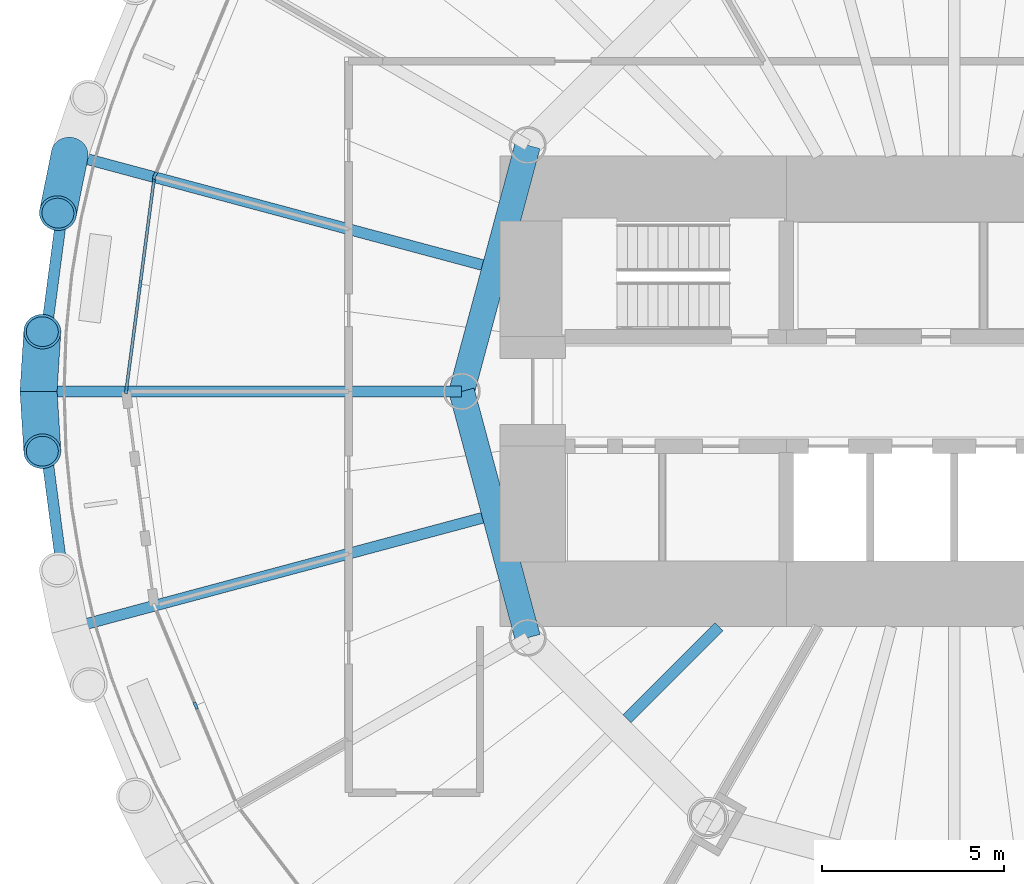
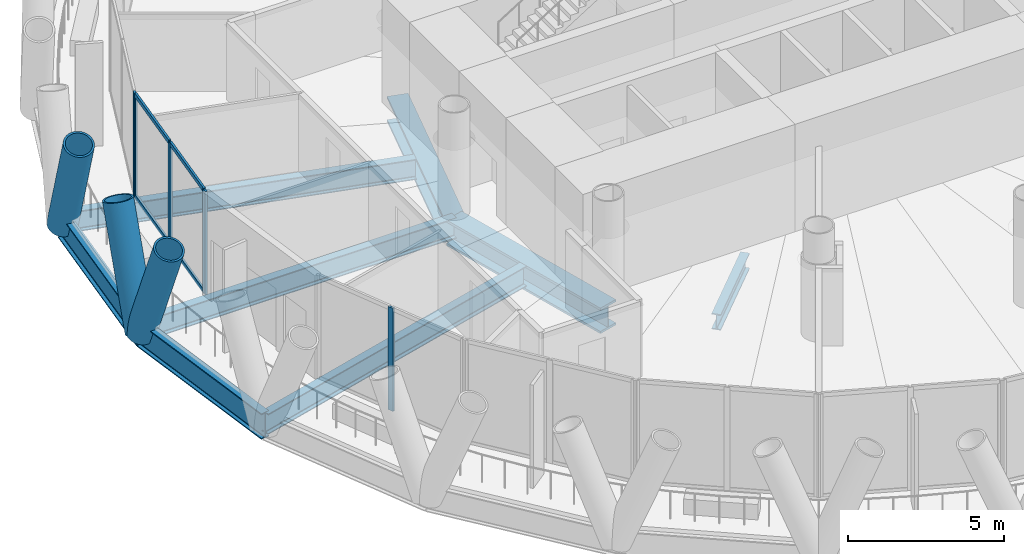
# One storey, part 3 of 14: 12 members, 8 beams, 3 elements without a shape of their own.
"""IFC4 building model written with IfcOpenShell, lengths in metres."""

from ifc_helpers import new_model, si_unit, direction, frame, origin, origin_2d, place, context, subcontext, project, spatial, rectangle, hollow_circle, i_section, extrude, material, material_profile, profile_set, type_object, element, aggregate, save


model = new_model("IFC4")

# Units and contexts
model_context = context("Model", 3, precision=1e-05, world=origin(), true_north=direction((0.0, 1.0)))
body_context = subcontext(model_context, "Body", "Model", "MODEL_VIEW")
ifc_project = project(units=[si_unit("LENGTHUNIT", "METRE"), si_unit("AREAUNIT", "SQUARE_METRE"), si_unit("VOLUMEUNIT", "CUBIC_METRE"), si_unit("PLANEANGLEUNIT", "RADIAN"), si_unit("MASSUNIT", "GRAM", prefix="KILO")], contexts=[model_context])

# Site, building, storey
site_placement = place(None, origin())
site = spatial("IfcSite", under=ifc_project, at=site_placement, CompositionType="ELEMENT")
building_placement = place(site_placement, origin())
building = spatial("IfcBuilding", under=site, at=building_placement, Name="Qaws Media Tower", CompositionType="ELEMENT")
storey_placement = place(building_placement, frame((0.0, 0.0, 126.800048828125)))
storey = spatial("IfcBuildingStorey", under=building, at=storey_placement, Name="L28", CompositionType="ELEMENT", Elevation=126.800048828125)

# Curtain wall, member
ifc_material_1 = material(Name="Aluminium and clear glass", Category="aluminium")
curtain_wall_type = type_object("IfcCurtainWallType", Name="Unitised curtain wall CW-B", PredefinedType="NOTDEFINED", material=ifc_material_1)
curtain_wall_1_placement = place(storey_placement, origin())
curtain_wall_1 = element("IfcCurtainWall", 1, at=curtain_wall_1_placement, inside=storey, type_object=curtain_wall_type, Name="CWB curtain wall L28-11", PredefinedType="NOTDEFINED")
ifc_material_2 = material(Name="Aluminium mullion", Category="aluminium")
ifc_material_profile_1 = material_profile(ifc_material_2, rectangle(XDim=0.080078125, YDim=0.199951171875, at=origin_2d()), Name="80x200")
ifc_profile_set_1 = profile_set([ifc_material_profile_1], Name="Aluminium mullion")
member_type_1 = type_object("IfcMemberType", Name="Curtain wall mullion 80x200", PredefinedType="MULLION", material=ifc_profile_set_1)
member_1_placement = place(storey_placement, frame((38.0888671875, 55.912109375, 0.0), z_axis=(0.0, 0.0, 1.0), x_axis=(0.923879575765, -0.382683327941, 0.0)))
member_1 = element("IfcMember", 2, at=member_1_placement, type_object=member_type_1, Name="CWB mullion 3", PredefinedType="MULLION", context=body_context, shape_type="SweptSolid", body=[
    extrude(rectangle(XDim=0.080078125, YDim=0.199951171875, at=origin_2d()), origin(), (0.0, 0.0, 1.0), 4.0400390625),
])
aggregate(curtain_wall_1, [member_1])

# Curtain wall, members
curtain_wall_2_placement = place(storey_placement, origin())
curtain_wall_2 = element("IfcCurtainWall", 3, at=curtain_wall_2_placement, inside=storey, type_object=curtain_wall_type, Name="CWB curtain wall L28-12", PredefinedType="NOTDEFINED")
member_2_placement = place(storey_placement, frame((38.068359375, 55.83544921875, 0.0), z_axis=(0.0, 0.0, 1.0), x_axis=(0.991444854836, -0.130526241882, 0.0)))
member_2 = element("IfcMember", 4, at=member_2_placement, type_object=member_type_1, Name="CWB mullion 1", PredefinedType="MULLION", context=body_context, shape_type="SweptSolid", body=[
    extrude(rectangle(XDim=0.080078125, YDim=0.199951171875, at=origin_2d()), origin(), (0.0, 0.0, 1.0), 4.0400390625),
])
member_3_placement = place(storey_placement, frame((37.686767578125, 52.9375, 0.0), z_axis=(0.0, 0.0, 1.0), x_axis=(0.991444854836, -0.130526241882, 0.0)))
member_3 = element("IfcMember", 5, at=member_3_placement, type_object=member_type_1, Name="CWB mullion 2", PredefinedType="MULLION", context=body_context, shape_type="SweptSolid", body=[
    extrude(rectangle(XDim=0.080078125, YDim=0.199951171875, at=origin_2d()), origin(), (0.0, 0.0, 1.0), 4.0400390625),
])
member_4_placement = place(storey_placement, frame((37.30517578125, 50.03955078125, 0.0), z_axis=(0.0, 0.0, 1.0), x_axis=(0.991444854836, -0.130526241882, 0.0)))
member_4 = element("IfcMember", 6, at=member_4_placement, type_object=member_type_1, Name="CWB mullion 3", PredefinedType="MULLION", context=body_context, shape_type="SweptSolid", body=[
    extrude(rectangle(XDim=0.080078125, YDim=0.199951171875, at=origin_2d()), origin(), (0.0, 0.0, 1.0), 4.0400390625),
])

# Curtain wall, member
curtain_wall_3_placement = place(storey_placement, origin())
curtain_wall_3 = element("IfcCurtainWall", 7, at=curtain_wall_3_placement, inside=storey, type_object=curtain_wall_type, Name="CWB curtain wall L28-14", PredefinedType="NOTDEFINED")
member_5_placement = place(storey_placement, frame((39.207275390625, 41.387451171875, 0.0), z_axis=(0.0, 0.0, 1.0), x_axis=(0.923879575765, 0.382683327941, 0.0)))
member_5 = element("IfcMember", 8, at=member_5_placement, type_object=member_type_1, Name="CWB mullion 2", PredefinedType="MULLION", context=body_context, shape_type="SweptSolid", body=[
    extrude(rectangle(XDim=0.080078125, YDim=0.199951171875, at=origin_2d()), origin(), (0.0, 0.0, 1.0), 4.0400390625),
])
aggregate(curtain_wall_3, [member_5])

# Member
ifc_material_3 = material(Name="Aluminium transom", Category="aluminium")
ifc_material_profile_2 = material_profile(ifc_material_3, rectangle(XDim=0.080078125, YDim=0.159912109375, at=origin_2d()), Name="80x160")
ifc_profile_set_2 = profile_set([ifc_material_profile_2], Name="Aluminium transom")
member_type_2 = type_object("IfcMemberType", Name="Curtain wall transom 80x160", PredefinedType="USERDEFINED", material=ifc_profile_set_2)
member_6_placement = place(storey_placement, frame((38.06298828125, 55.7958984375, 0.0400390625), z_axis=(-0.130532262837, -0.991444062143, 0.0), x_axis=(0.991444062143, -0.130532262837, 0.0)))
member_6 = element("IfcMember", 9, at=member_6_placement, type_object=member_type_2, Name="CWB transom 1.1", ObjectType="TRANSOM", PredefinedType="USERDEFINED", context=body_context, shape_type="SweptSolid", body=[
    extrude(rectangle(XDim=0.080078125, YDim=0.159912109375, at=origin_2d()), origin(), (0.0, 0.0, 1.0), 2.843017578125),
])

member_7_placement = place(storey_placement, frame((38.06298828125, 55.7958984375, 4.0), z_axis=(-0.130532262837, -0.991444062143, 0.0), x_axis=(0.991444062143, -0.130532262837, 0.0)))
member_7 = element("IfcMember", 10, at=member_7_placement, type_object=member_type_2, Name="CWB transom 1.2", ObjectType="TRANSOM", PredefinedType="USERDEFINED", context=body_context, shape_type="SweptSolid", body=[
    extrude(rectangle(XDim=0.080078125, YDim=0.159912109375, at=origin_2d()), origin(), (0.0, 0.0, 1.0), 2.843017578125),
])

member_8_placement = place(storey_placement, frame((37.681640625, 52.89794921875, 0.0400390625), z_axis=(-0.130532262837, -0.991444062143, 0.0), x_axis=(0.991444062143, -0.130532262837, 0.0)))
member_8 = element("IfcMember", 11, at=member_8_placement, type_object=member_type_2, Name="CWB transom 2.1", ObjectType="TRANSOM", PredefinedType="USERDEFINED", context=body_context, shape_type="SweptSolid", body=[
    extrude(rectangle(XDim=0.080078125, YDim=0.159912109375, at=origin_2d()), origin(), (0.0, 0.0, 1.0), 2.843017578125),
])

member_9_placement = place(storey_placement, frame((37.681640625, 52.89794921875, 4.0), z_axis=(-0.130532262837, -0.991444062143, 0.0), x_axis=(0.991444062143, -0.130532262837, 0.0)))
member_9 = element("IfcMember", 12, at=member_9_placement, type_object=member_type_2, Name="CWB transom 2.2", ObjectType="TRANSOM", PredefinedType="USERDEFINED", context=body_context, shape_type="SweptSolid", body=[
    extrude(rectangle(XDim=0.080078125, YDim=0.159912109375, at=origin_2d()), origin(), (0.0, 0.0, 1.0), 2.843017578125),
])

aggregate(curtain_wall_2, [member_2, member_3, member_4, member_6, member_7, member_8, member_9])

# Members
ifc_material_4 = material(Name="Steel S460", Category="steel")
ifc_material_profile_3 = material_profile(ifc_material_4, hollow_circle(Radius=0.508056640625, WallThickness=0.070068359375, at=origin_2d()), Name="CHS 1016x70")
ifc_profile_set_3 = profile_set([ifc_material_profile_3], Name="Steel S460")
member_type_3 = type_object("IfcMemberType", Name="Diagrid member CHS 1016x70", PredefinedType="USERDEFINED", material=ifc_profile_set_3)
member_10_placement = place(storey_placement, frame((35.75537109375, 56.496337890625, -0.6640625), z_axis=(-0.071844373142, -0.356893826491, 0.931378109395), x_axis=(0.980333951652, -0.197345745425, 0.0)))
element("IfcMember", 13, at=member_10_placement, inside=storey, type_object=member_type_3, Name="DG3 diagrid L28 A12", ObjectType="DIAGRID", PredefinedType="USERDEFINED", context=body_context, shape_type="SweptSolid", body=[
    extrude(hollow_circle(Radius=0.508056640625, WallThickness=0.070068359375, at=origin_2d()), origin(), (0.0, 0.0, 1.0), 4.50927734375),
])
for number, where, z_axis, x_axis, name in (
    (14, (34.89990234375, 50.0, -0.6640625), (0.023009597128, -0.363335073708, 0.931374351512), (0.99800073914, 0.063202252143, 0.0), "DG3 diagrid L28 A13"),
    (15, (34.89990234375, 50.0, -0.6640625), (0.023009597128, 0.363335073708, 0.931374351512), (-0.99800073914, 0.063202252143, 0.0), "DG3 diagrid L28 B13"),
):
    element("IfcMember", number, at=place(storey_placement, frame(where, z_axis=z_axis, x_axis=x_axis)), inside=storey, type_object=member_type_3, Name=name, ObjectType="DIAGRID", PredefinedType="USERDEFINED", context=body_context, shape_type="SweptSolid", body=[
        extrude(hollow_circle(Radius=0.508056640625, WallThickness=0.070068359375, at=origin_2d()), origin(), (0.0, 0.0, 1.0), 4.509521484375),
    ])

# Beams
ifc_material_5 = material(Name="Steel S460", Category="steel")
ifc_material_profile_4 = material_profile(ifc_material_5, i_section(OverallWidth=0.302001953125, OverallDepth=1.008056640625, WebThickness=0.02099609375, FlangeThickness=0.0400390625, FilletRadius=0.030029296875, at=origin_2d()), Name="HE 1000 M")
ifc_profile_set_4 = profile_set([ifc_material_profile_4], Name="Steel S460")
beam_type_1 = type_object("IfcBeamType", Name="Edge ring beam HE 1000 M", PredefinedType="BEAM", material=ifc_profile_set_4)
for number, where, z_axis, x_axis, name in (
    (16, (35.75537109375, 56.496337890625, -0.6640625), (-0.130557641571, -0.991440720481, 0.0), (0.991440720481, -0.130557641571, 0.0), "RB3 edge ring beam L28-12"),
    (17, (34.89990234375, 50.0, -0.6640625), (0.130557641571, -0.991440720481, 0.0), (0.991440720481, 0.130557641571, 0.0), "RB3 edge ring beam L28-13"),
):
    element("IfcBeam", number, at=place(storey_placement, frame(where, z_axis=z_axis, x_axis=x_axis)), inside=storey, type_object=beam_type_1, Name=name, PredefinedType="BEAM", context=body_context, shape_type="SweptSolid", body=[
        extrude(i_section(OverallWidth=0.302001953125, OverallDepth=1.008056640625, WebThickness=0.02099609375, FlangeThickness=0.0400390625, FilletRadius=0.030029296875, at=origin_2d()), origin(), (0.0, 0.0, 1.0), 6.552490234375),
    ])
ifc_material_6 = material(Name="Steel S460", Category="steel")
ifc_material_profile_5 = material_profile(ifc_material_6, i_section(OverallWidth=0.699951171875, OverallDepth=1.0, WebThickness=0.034912109375, FlangeThickness=0.090087890625, at=origin_2d()), Name="PG 1000x700")
ifc_profile_set_5 = profile_set([ifc_material_profile_5], Name="Steel S460")
beam_type_2 = type_object("IfcBeamType", Name="Inner ring girder PG 1000x700", PredefinedType="BEAM", material=ifc_profile_set_5)
for number, where, z_axis, x_axis, name in (
    (18, (48.30859375, 56.75, -0.66015625), (-0.258810593767, -0.965928090778, 0.0), (0.965928090778, -0.258810593767, 0.0), "B3 inner ring beam L28 I06-I07"),
    (19, (46.5, 50.0, -0.66015625), (0.258810593767, -0.965928090778, 0.0), (0.965928090778, 0.258810593767, 0.0), "B3 inner ring beam L28 I07-I08"),
):
    element("IfcBeam", number, at=place(storey_placement, frame(where, z_axis=z_axis, x_axis=x_axis)), inside=storey, type_object=beam_type_2, Name=name, PredefinedType="BEAM", context=body_context, shape_type="SweptSolid", body=[
        extrude(i_section(OverallWidth=0.699951171875, OverallDepth=1.0, WebThickness=0.034912109375, FlangeThickness=0.090087890625, at=origin_2d()), origin(), (0.0, 0.0, 1.0), 6.988037109375),
    ])
ifc_material_7 = material(Name="Steel S355", Category="steel")
ifc_material_profile_6 = material_profile(ifc_material_7, i_section(OverallWidth=0.304931640625, OverallDepth=0.6201171875, WebThickness=0.02099609375, FlangeThickness=0.0400390625, FilletRadius=0.027099609375, at=origin_2d()), Name="HE 600 M")
ifc_profile_set_6 = profile_set([ifc_material_profile_6], Name="Steel S355")
beam_type_3 = type_object("IfcBeamType", Name="Radial beam HE 600 M, core side", PredefinedType="BEAM", material=ifc_profile_set_6)
beam_1_placement = place(storey_placement, frame((53.550048828125, 43.550048828125, -0.469970703125), z_axis=(-0.707106781187, -0.707106781187, 0.0), x_axis=(0.707106781187, -0.707106781187, 0.0)))
element("IfcBeam", 20, at=beam_1_placement, inside=storey, type_object=beam_type_3, Name="B2 radial beam L28 16", PredefinedType="BEAM", context=body_context, shape_type="SweptSolid", body=[
    extrude(i_section(OverallWidth=0.304931640625, OverallDepth=0.6201171875, WebThickness=0.02099609375, FlangeThickness=0.0400390625, FilletRadius=0.027099609375, at=origin_2d()), origin(), (0.0, 0.0, 1.0), 3.568359375),
])
ifc_material_8 = material(Name="Steel S355", Category="steel")
ifc_material_profile_7 = material_profile(ifc_material_8, i_section(OverallWidth=0.300048828125, OverallDepth=0.800048828125, WebThickness=0.017578125, FlangeThickness=0.032958984375, FilletRadius=0.030029296875, at=origin_2d()), Name="HE 800 B")
ifc_profile_set_7 = profile_set([ifc_material_profile_7], Name="Steel S355")
beam_type_4 = type_object("IfcBeamType", Name="Radial beam HE 800 B", PredefinedType="BEAM", material=ifc_profile_set_7)
beam_2_placement = place(storey_placement, frame((47.066162109375, 53.465576171875, -0.56005859375), z_axis=(-0.965924878351, 0.258822582828, 0.0), x_axis=(-0.258822582828, -0.965924878351, 0.0)))
element("IfcBeam", 21, at=beam_2_placement, inside=storey, type_object=beam_type_4, Name="B1 radial beam L28 12", PredefinedType="BEAM", context=body_context, shape_type="SweptSolid", body=[
    extrude(i_section(OverallWidth=0.300048828125, OverallDepth=0.800048828125, WebThickness=0.017578125, FlangeThickness=0.032958984375, FilletRadius=0.030029296875, at=origin_2d()), origin(), (0.0, 0.0, 1.0), 11.709716796875),
])
beam_3_placement = place(storey_placement, frame((46.5, 50.0, -0.56005859375), z_axis=(-1.0, 0.0, 0.0), x_axis=(0.0, -1.0, 0.0)))
element("IfcBeam", 22, at=beam_3_placement, inside=storey, type_object=beam_type_4, Name="B1 radial beam L28 13", PredefinedType="BEAM", context=body_context, shape_type="SweptSolid", body=[
    extrude(i_section(OverallWidth=0.300048828125, OverallDepth=0.800048828125, WebThickness=0.017578125, FlangeThickness=0.032958984375, FilletRadius=0.030029296875, at=origin_2d()), origin(), (0.0, 0.0, 1.0), 11.60009765625),
])
beam_4_placement = place(storey_placement, frame((47.066162109375, 46.534423828125, -0.56005859375), z_axis=(-0.965924878351, -0.258822582828, 0.0), x_axis=(0.258822582828, -0.965924878351, 0.0)))
element("IfcBeam", 23, at=beam_4_placement, inside=storey, type_object=beam_type_4, Name="B1 radial beam L28 14", PredefinedType="BEAM", context=body_context, shape_type="SweptSolid", body=[
    extrude(i_section(OverallWidth=0.300048828125, OverallDepth=0.800048828125, WebThickness=0.017578125, FlangeThickness=0.032958984375, FilletRadius=0.030029296875, at=origin_2d()), origin(), (0.0, 0.0, 1.0), 11.709716796875),
])

save(model, "model.ifc")
